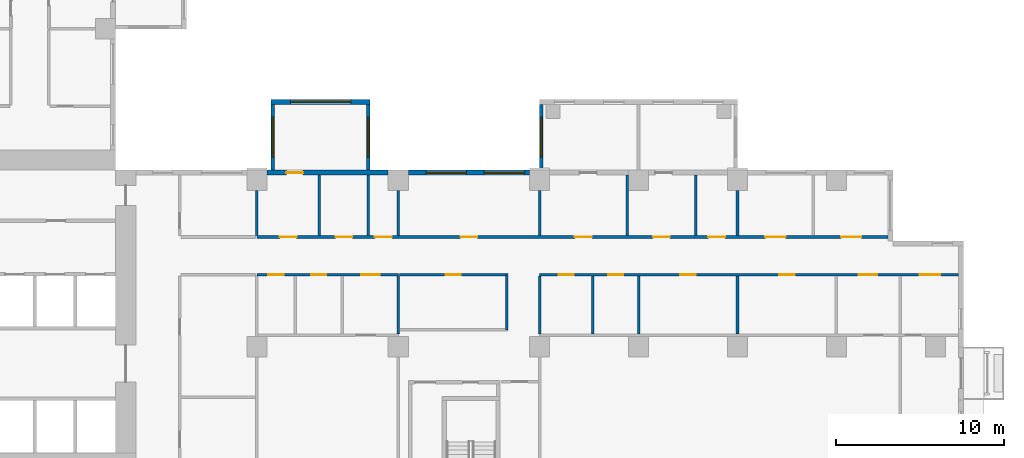
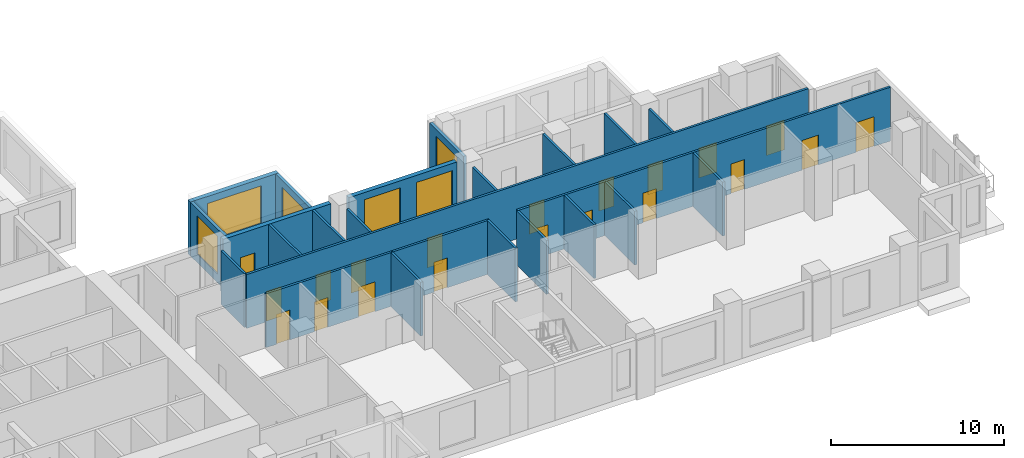
# One storey, part 5 of 15: 24 walls, 20 doors, 6 windows, 26 openings.
"""IFC4 building model written with IfcOpenShell, lengths in metres."""

from ifc_helpers import new_model, si_unit, direction, frame, frame_2d, origin, place, context, subcontext, project, spatial, rectangle, extrude, source, transform, mapped, material, layer, layer_set, type_object, element, fill, save


model = new_model("IFC4")

# Units and contexts
model_context = context("Model", 3, precision=1e-05, world=origin(), true_north=direction((0.0, 1.0)))
body_context = subcontext(model_context, "Body", "Model", "MODEL_VIEW")
ifc_project = project(units=[si_unit("LENGTHUNIT", "METRE"), si_unit("AREAUNIT", "SQUARE_METRE"), si_unit("VOLUMEUNIT", "CUBIC_METRE"), si_unit("PLANEANGLEUNIT", "RADIAN"), si_unit("MASSUNIT", "GRAM", prefix="KILO")], contexts=[model_context])

# Site, building, storey
site_placement = place(None, origin())
site = spatial("IfcSite", under=ifc_project, at=site_placement, CompositionType="ELEMENT")
building_placement = place(site_placement, origin())
building = spatial("IfcBuilding", under=site, at=building_placement, Name="Aurelian Terraces", CompositionType="ELEMENT")
storey_placement = place(building_placement, frame((0.0, 0.0, 82.5)))
storey = spatial("IfcBuildingStorey", under=building, at=storey_placement, Name="L17", CompositionType="ELEMENT", Elevation=82.5)

# Wall
ifc_material_1 = material(Name="Gypsum board on steel studs", Category="steel")
ifc_layer_1 = layer(ifc_material_1, 0.15)
ifc_layer_set_1 = layer_set([ifc_layer_1], Name="Partition 150")
wall_type_1 = type_object("IfcWallType", Name="Partition 150", PredefinedType="PARTITIONING", material=ifc_layer_set_1)
wall_1_placement = place(storey_placement, frame((44.25, 11.5, 0.0), z_axis=(0.0, 0.0, 1.0), x_axis=(0.0, 1.0, 0.0)))
element("IfcWall", 1, at=wall_1_placement, inside=storey, type_object=wall_type_1, Name="Partition", PredefinedType="PARTITIONING", context=body_context, shape_type="SweptSolid", body=[
    extrude(rectangle(XDim=3.275, YDim=0.15, at=frame_2d((1.6375, 0.0))), origin(), (0.0, 0.0, 1.0), 3.8),
])

# Wall, openings, windows
ifc_material_2 = material(Name="Terracotta rainscreen cladding", Category="masonry")
ifc_layer_2 = layer(ifc_material_2, 0.3)
ifc_layer_set_2 = layer_set([ifc_layer_2], Name="EW-300")
wall_type_2 = type_object("IfcWallType", Name="EW-300", PredefinedType="STANDARD", material=ifc_layer_set_2)
shared_shape_1 = source(origin(), body_context, "Body", "SweptSolid", [
    extrude(rectangle(XDim=7.2, YDim=0.3, at=frame_2d((3.6, 0.0))), origin(), (0.0, 0.0, 1.0), 3.8),
])
wall_2_placement = place(storey_placement, frame((45.6, 20.85, 0.0), z_axis=(0.0, 0.0, 1.0), x_axis=(-1.0, 0.0, 0.0)))
wall_2 = element("IfcWall", 2, at=wall_2_placement, inside=storey, type_object=wall_type_2, Name="External wall L17 F07.21", PredefinedType="STANDARD", context=body_context, shape_type="MappedRepresentation", body=[
    mapped(shared_shape_1, transform((0.0, 0.0, 0.0), scale=1.0)),
])
shared_shape_2 = source(origin(), body_context, "Body", "SweptSolid", [
    extrude(rectangle(XDim=2.4, YDim=2.7, at=frame_2d((1.2, 1.35))), frame((0.0, 0.16, 0.0), z_axis=(0.0, -1.0, 0.0), x_axis=(1.0, 0.0, 0.0)), (0.0, 0.0, 1.0), 0.32),
])
opening_1_placement = place(wall_2_placement, frame((0.3, 0.0, 0.6)))
opening_1 = element("IfcOpeningElement", 3, at=opening_1_placement, cuts=wall_2, Name="Opening W2427", PredefinedType="OPENING", context=body_context, shape_type="MappedRepresentation", body=[
    mapped(shared_shape_2, transform((0.0, 0.0, 0.0), scale=1.0)),
])
opening_2_placement = place(wall_2_placement, frame((3.75, 0.0, 0.6)))
opening_2 = element("IfcOpeningElement", 4, at=opening_2_placement, cuts=wall_2, Name="Opening W2427", PredefinedType="OPENING", context=body_context, shape_type="MappedRepresentation", body=[
    mapped(shared_shape_2, transform((0.0, 0.0, 0.0), scale=1.0)),
])
ifc_material_3 = material(Name="Clear glazing", Category="glass")
window_type_1 = type_object("IfcWindowType", Name="W-2400x2700", PartitioningType="SINGLE_PANEL", PredefinedType="WINDOW", material=ifc_material_3)
shared_shape_3 = source(origin(), body_context, "Body", "SweptSolid", [
    extrude(rectangle(XDim=2.4, YDim=2.7, at=frame_2d((1.2, 1.35))), frame((0.0, 0.03, 0.0), z_axis=(0.0, -1.0, 0.0), x_axis=(1.0, 0.0, 0.0)), (0.0, 0.0, 1.0), 0.06),
])
window_1_placement = place(opening_1_placement, origin())
window_1 = element("IfcWindow", 5, at=window_1_placement, inside=storey, type_object=window_type_1, Name="Window L17 L17-F07-21-0", OverallHeight=2.7, OverallWidth=2.4, PartitioningType="SINGLE_PANEL", PredefinedType="WINDOW", context=body_context, shape_type="MappedRepresentation", body=[
    mapped(shared_shape_3, transform((0.0, 0.0, 0.0), scale=1.0)),
])
fill(opening_1, window_1)
window_2_placement = place(opening_2_placement, origin())
window_2 = element("IfcWindow", 6, at=window_2_placement, inside=storey, type_object=window_type_1, Name="Window L17 L17-F07-21-G0-33", OverallHeight=2.7, OverallWidth=2.4, PartitioningType="SINGLE_PANEL", PredefinedType="WINDOW", context=body_context, shape_type="MappedRepresentation", body=[
    mapped(shared_shape_3, transform((0.0, 0.0, 0.0), scale=1.0)),
])
fill(opening_2, window_2)

# Wall, opening, door
wall_3_placement = place(storey_placement, frame((37.2, 20.85, 0.0), z_axis=(0.0, 0.0, 1.0), x_axis=(-1.0, 0.0, 0.0)))
wall_3 = element("IfcWall", 7, at=wall_3_placement, inside=storey, type_object=wall_type_2, Name="External wall L17 F07.21", PredefinedType="STANDARD", context=body_context, shape_type="MappedRepresentation", body=[
    mapped(shared_shape_1, transform((0.0, 0.0, 0.0), scale=1.0)),
])
shared_shape_4 = source(origin(), body_context, "Body", "SweptSolid", [
    extrude(rectangle(XDim=1.0, YDim=2.1, at=frame_2d((0.5, 1.05))), frame((0.0, 0.16, 0.0), z_axis=(0.0, -1.0, 0.0), x_axis=(1.0, 0.0, 0.0)), (0.0, 0.0, 1.0), 0.32),
])
opening_3_placement = place(wall_3_placement, frame((5.06, 0.0, 0.0)))
opening_3 = element("IfcOpeningElement", 8, at=opening_3_placement, cuts=wall_3, Name="Opening 817002", PredefinedType="OPENING", context=body_context, shape_type="MappedRepresentation", body=[
    mapped(shared_shape_4, transform((0.0, 0.0, 0.0), scale=1.0)),
])
ifc_material_4 = material(Name="Timber door leaf", Category="wood")
door_type_1 = type_object("IfcDoorType", Name="Room door 1000x2100 left", OperationType="SINGLE_SWING_LEFT", PredefinedType="DOOR", material=ifc_material_4)
shared_shape_5 = source(origin(), body_context, "Body", "SweptSolid", [
    extrude(rectangle(XDim=1.0, YDim=2.1, at=frame_2d((0.5, 1.05))), frame((0.0, 0.025, 0.0), z_axis=(0.0, -1.0, 0.0), x_axis=(1.0, 0.0, 0.0)), (0.0, 0.0, 1.0), 0.05),
])
door_1_placement = place(opening_3_placement, origin())
door_1 = element("IfcDoor", 9, at=door_1_placement, inside=storey, type_object=door_type_1, Name="Door 817002", OperationType="SINGLE_SWING_LEFT", OverallHeight=2.1, OverallWidth=1.0, PredefinedType="DOOR", context=body_context, shape_type="MappedRepresentation", body=[
    mapped(shared_shape_5, transform((0.0, 0.0, 0.0), scale=1.0)),
])
fill(opening_3, door_1)

# Wall, opening, window
ifc_material_5 = material(Name="Concrete fc' 40 MPa", Category="concrete")
ifc_layer_3 = layer(ifc_material_5, 0.2)
ifc_layer_set_3 = layer_set([ifc_layer_3], Name="BOX BEARING WALL 200")
wall_type_3 = type_object("IfcWallType", Name="BOX BEARING WALL 200", PredefinedType="SOLIDWALL", material=ifc_layer_set_3)
shared_shape_6 = source(origin(), body_context, "Body", "SweptSolid", [
    extrude(rectangle(XDim=3.9, YDim=0.2, at=frame_2d((1.95, 0.0))), origin(), (0.0, 0.0, 1.0), 3.8),
])
wall_4_placement = place(storey_placement, frame((46.3, 21.0, 0.0), z_axis=(0.0, 0.0, 1.0), x_axis=(0.0, 1.0, 0.0)))
wall_4 = element("IfcWall", 10, at=wall_4_placement, inside=storey, type_object=wall_type_3, Name="Box return L17 K01.2", PredefinedType="SOLIDWALL", context=body_context, shape_type="MappedRepresentation", body=[
    mapped(shared_shape_6, transform((0.0, 0.0, 0.0), scale=1.0)),
])
shared_shape_7 = source(origin(), body_context, "Body", "SweptSolid", [
    extrude(rectangle(XDim=2.4, YDim=2.7, at=frame_2d((1.2, 1.35))), frame((0.0, 0.11, 0.0), z_axis=(0.0, -1.0, 0.0), x_axis=(1.0, 0.0, 0.0)), (0.0, 0.0, 1.0), 0.22),
])
opening_4_placement = place(wall_4_placement, frame((0.75, 0.0, 0.6)))
opening_4 = element("IfcOpeningElement", 11, at=opening_4_placement, cuts=wall_4, Name="Opening W2427", PredefinedType="OPENING", context=body_context, shape_type="MappedRepresentation", body=[
    mapped(shared_shape_7, transform((0.0, 0.0, 0.0), scale=1.0)),
])
window_3_placement = place(opening_4_placement, origin())
window_3 = element("IfcWindow", 12, at=window_3_placement, inside=storey, type_object=window_type_1, Name="Window L17 K01-S2", OverallHeight=2.7, OverallWidth=2.4, PartitioningType="SINGLE_PANEL", PredefinedType="WINDOW", context=body_context, shape_type="MappedRepresentation", body=[
    mapped(shared_shape_3, transform((0.0, 0.0, 0.0), scale=1.0)),
])
fill(opening_4, window_3)

wall_5_placement = place(storey_placement, frame((36.02, 21.0, 0.0), z_axis=(0.0, 0.0, 1.0), x_axis=(0.0, 1.0, 0.0)))
wall_5 = element("IfcWall", 13, at=wall_5_placement, inside=storey, type_object=wall_type_3, Name="Box return L17 J20.1", PredefinedType="SOLIDWALL", context=body_context, shape_type="MappedRepresentation", body=[
    mapped(shared_shape_6, transform((0.0, 0.0, 0.0), scale=1.0)),
])
opening_5_placement = place(wall_5_placement, frame((0.75, 0.0, 0.6)))
opening_5 = element("IfcOpeningElement", 14, at=opening_5_placement, cuts=wall_5, Name="Opening W2427", PredefinedType="OPENING", context=body_context, shape_type="MappedRepresentation", body=[
    mapped(shared_shape_7, transform((0.0, 0.0, 0.0), scale=1.0)),
])
window_4_placement = place(opening_5_placement, origin())
window_4 = element("IfcWindow", 15, at=window_4_placement, inside=storey, type_object=window_type_1, Name="Window L17 J20-S1", OverallHeight=2.7, OverallWidth=2.4, PartitioningType="SINGLE_PANEL", PredefinedType="WINDOW", context=body_context, shape_type="MappedRepresentation", body=[
    mapped(shared_shape_3, transform((0.0, 0.0, 0.0), scale=1.0)),
])
fill(opening_5, window_4)

wall_6_placement = place(storey_placement, frame((30.34, 21.0, 0.0), z_axis=(0.0, 0.0, 1.0), x_axis=(0.0, 1.0, 0.0)))
wall_6 = element("IfcWall", 16, at=wall_6_placement, inside=storey, type_object=wall_type_3, Name="Box return L17 J20.2", PredefinedType="SOLIDWALL", context=body_context, shape_type="MappedRepresentation", body=[
    mapped(shared_shape_6, transform((0.0, 0.0, 0.0), scale=1.0)),
])
opening_6_placement = place(wall_6_placement, frame((0.75, 0.0, 0.6)))
opening_6 = element("IfcOpeningElement", 17, at=opening_6_placement, cuts=wall_6, Name="Opening W2427", PredefinedType="OPENING", context=body_context, shape_type="MappedRepresentation", body=[
    mapped(shared_shape_7, transform((0.0, 0.0, 0.0), scale=1.0)),
])
window_5_placement = place(opening_6_placement, origin())
window_5 = element("IfcWindow", 18, at=window_5_placement, inside=storey, type_object=window_type_1, Name="Window L17 J20-S2", OverallHeight=2.7, OverallWidth=2.4, PartitioningType="SINGLE_PANEL", PredefinedType="WINDOW", context=body_context, shape_type="MappedRepresentation", body=[
    mapped(shared_shape_3, transform((0.0, 0.0, 0.0), scale=1.0)),
])
fill(opening_6, window_5)

ifc_layer_4 = layer(ifc_material_5, 0.3)
ifc_layer_set_4 = layer_set([ifc_layer_4], Name="BOX BEARING WALL 300")
wall_type_4 = type_object("IfcWallType", Name="BOX BEARING WALL 300", PredefinedType="SOLIDWALL", material=ifc_layer_set_4)
shared_shape_8 = source(origin(), body_context, "Body", "SweptSolid", [
    extrude(rectangle(XDim=5.88, YDim=0.3, at=frame_2d((2.94, 0.0))), origin(), (0.0, 0.0, 1.0), 3.8),
])
wall_7_placement = place(storey_placement, frame((36.12, 25.05, 0.0), z_axis=(0.0, 0.0, 1.0), x_axis=(-1.0, 0.0, 0.0)))
wall_7 = element("IfcWall", 19, at=wall_7_placement, inside=storey, type_object=wall_type_4, Name="Box wall L17 J20", PredefinedType="SOLIDWALL", context=body_context, shape_type="MappedRepresentation", body=[
    mapped(shared_shape_8, transform((0.0, 0.0, 0.0), scale=1.0)),
])
shared_shape_9 = source(origin(), body_context, "Body", "SweptSolid", [
    extrude(rectangle(XDim=3.6, YDim=2.7, at=frame_2d((1.8, 1.35))), frame((0.0, 0.16, 0.0), z_axis=(0.0, -1.0, 0.0), x_axis=(1.0, 0.0, 0.0)), (0.0, 0.0, 1.0), 0.32),
])
opening_7_placement = place(wall_7_placement, frame((1.14, 0.0, 0.6)))
opening_7 = element("IfcOpeningElement", 20, at=opening_7_placement, cuts=wall_7, Name="Opening W3627", PredefinedType="OPENING", context=body_context, shape_type="MappedRepresentation", body=[
    mapped(shared_shape_9, transform((0.0, 0.0, 0.0), scale=1.0)),
])
window_type_2 = type_object("IfcWindowType", Name="W-3600x2700", PartitioningType="SINGLE_PANEL", PredefinedType="WINDOW", material=ifc_material_3)
shared_shape_10 = source(origin(), body_context, "Body", "SweptSolid", [
    extrude(rectangle(XDim=3.6, YDim=2.7, at=frame_2d((1.8, 1.35))), frame((0.0, 0.03, 0.0), z_axis=(0.0, -1.0, 0.0), x_axis=(1.0, 0.0, 0.0)), (0.0, 0.0, 1.0), 0.06),
])
window_6_placement = place(opening_7_placement, origin())
window_6 = element("IfcWindow", 21, at=window_6_placement, inside=storey, type_object=window_type_2, Name="Window L17 J20-F1", OverallHeight=2.7, OverallWidth=3.6, PartitioningType="SINGLE_PANEL", PredefinedType="WINDOW", context=body_context, shape_type="MappedRepresentation", body=[
    mapped(shared_shape_10, transform((0.0, 0.0, 0.0), scale=1.0)),
])
fill(opening_7, window_6)

# Wall, opening, door
ifc_layer_5 = layer(ifc_material_1, 0.15)
ifc_layer_set_5 = layer_set([ifc_layer_5], Name="Fire partition 150")
wall_type_5 = type_object("IfcWallType", Name="Fire partition 150", PredefinedType="PARTITIONING", material=ifc_layer_set_5)
shared_shape_11 = source(origin(), body_context, "Body", "SweptSolid", [
    extrude(rectangle(XDim=6.45, YDim=0.15, at=frame_2d((3.225, 0.0))), origin(), (0.0, 0.0, 1.0), 3.8),
])
wall_8_placement = place(storey_placement, frame((44.325, 14.775, 0.0), z_axis=(0.0, 0.0, 1.0), x_axis=(-1.0, 0.0, 0.0)))
wall_8 = element("IfcWall", 22, at=wall_8_placement, inside=storey, type_object=wall_type_5, Name="Corridor wall", PredefinedType="PARTITIONING", context=body_context, shape_type="MappedRepresentation", body=[
    mapped(shared_shape_11, transform((0.0, 0.0, 0.0), scale=1.0)),
])
shared_shape_12 = source(origin(), body_context, "Body", "SweptSolid", [
    extrude(rectangle(XDim=0.9, YDim=2.1, at=frame_2d((0.45, 1.05))), frame((0.0, 0.085, 0.0), z_axis=(0.0, -1.0, 0.0), x_axis=(1.0, 0.0, 0.0)), (0.0, 0.0, 1.0), 0.17),
])
opening_8_placement = place(wall_8_placement, frame((2.8125, 0.0, 0.0)))
opening_8 = element("IfcOpeningElement", 23, at=opening_8_placement, cuts=wall_8, Name="Opening 717005", PredefinedType="OPENING", context=body_context, shape_type="MappedRepresentation", body=[
    mapped(shared_shape_12, transform((0.0, 0.0, 0.0), scale=1.0)),
])
door_type_2 = type_object("IfcDoorType", Name="Room door 900x2100 left", OperationType="SINGLE_SWING_LEFT", PredefinedType="DOOR", material=ifc_material_4)
shared_shape_13 = source(origin(), body_context, "Body", "SweptSolid", [
    extrude(rectangle(XDim=0.9, YDim=2.1, at=frame_2d((0.45, 1.05))), frame((0.0, 0.025, 0.0), z_axis=(0.0, -1.0, 0.0), x_axis=(1.0, 0.0, 0.0)), (0.0, 0.0, 1.0), 0.05),
])
door_2_placement = place(opening_8_placement, origin())
door_2 = element("IfcDoor", 24, at=door_2_placement, inside=storey, type_object=door_type_2, Name="Door 717005", OperationType="SINGLE_SWING_LEFT", OverallHeight=2.1, OverallWidth=0.9, PredefinedType="DOOR", context=body_context, shape_type="MappedRepresentation", body=[
    mapped(shared_shape_13, transform((0.0, 0.0, 0.0), scale=1.0)),
])
fill(opening_8, door_2)

# Walls
shared_shape_14 = source(origin(), body_context, "Body", "SweptSolid", [
    extrude(rectangle(XDim=3.6, YDim=0.15, at=frame_2d((1.8, 0.0))), origin(), (0.0, 0.0, 1.0), 3.8),
])
for number, where, z_axis, x_axis, name in (
    (25, (33.1133, 20.7, 0.0), (0.0, 0.0, 1.0), (0.0, -1.0, 0.0), "Partition"),
    (26, (36.024, 20.7, 0.0), (0.0, 0.0, 1.0), (0.0, -1.0, 0.0), "Partition"),
    (27, (51.3951, 20.7, 0.0), (0.0, 0.0, 1.0), (0.0, -1.0, 0.0), "Partition"),
    (28, (55.4912, 20.7, 0.0), (0.0, 0.0, 1.0), (0.0, -1.0, 0.0), "Partition"),
):
    element("IfcWall", number, at=place(storey_placement, frame(where, z_axis=z_axis, x_axis=x_axis)), inside=storey, type_object=wall_type_1, Name=name, PredefinedType="PARTITIONING", context=body_context, shape_type="MappedRepresentation", body=[
        mapped(shared_shape_14, transform((0.0, 0.0, 0.0), scale=1.0)),
    ])
shared_shape_15 = source(origin(), body_context, "Body", "SweptSolid", [
    extrude(rectangle(XDim=2.701, YDim=0.15, at=frame_2d((1.3505, 0.0))), origin(), (0.0, 0.0, 1.0), 3.8),
])
for number, where, z_axis, x_axis, name in (
    (29, (29.4, 17.1, 0.0), (0.0, 0.0, 1.0), (0.0, 1.0, 0.0), "Partition"),
    (30, (37.8, 17.1, 0.0), (0.0, 0.0, 1.0), (0.0, 1.0, 0.0), "Partition"),
    (31, (46.2, 17.1, 0.0), (0.0, 0.0, 1.0), (0.0, 1.0, 0.0), "Partition"),
    (32, (57.96, 17.1, 0.0), (0.0, 0.0, 1.0), (0.0, 1.0, 0.0), "Partition"),
):
    element("IfcWall", number, at=place(storey_placement, frame(where, z_axis=z_axis, x_axis=x_axis)), inside=storey, type_object=wall_type_1, Name=name, PredefinedType="PARTITIONING", context=body_context, shape_type="MappedRepresentation", body=[
        mapped(shared_shape_15, transform((0.0, 0.0, 0.0), scale=1.0)),
    ])

# Wall, openings, doors
shared_shape_16 = source(origin(), body_context, "Body", "SweptSolid", [
    extrude(rectangle(XDim=8.4, YDim=0.15, at=frame_2d((4.2, 0.0))), origin(), (0.0, 0.0, 1.0), 3.8),
])
wall_9_placement = place(storey_placement, frame((37.8, 14.775, 0.0), z_axis=(0.0, 0.0, 1.0), x_axis=(-1.0, 0.0, 0.0)))
wall_9 = element("IfcWall", 33, at=wall_9_placement, inside=storey, type_object=wall_type_5, Name="Corridor wall", PredefinedType="PARTITIONING", context=body_context, shape_type="MappedRepresentation", body=[
    mapped(shared_shape_16, transform((0.0, 0.0, 0.0), scale=1.0)),
])
shared_shape_17 = source(origin(), body_context, "Body", "SweptSolid", [
    extrude(rectangle(XDim=1.1, YDim=2.1, at=frame_2d((0.55, 1.05))), frame((0.0, 0.085, 0.0), z_axis=(0.0, -1.0, 0.0), x_axis=(1.0, 0.0, 0.0)), (0.0, 0.0, 1.0), 0.17),
])
opening_9_placement = place(wall_9_placement, frame((1.1146, 0.0, 0.0)))
opening_9 = element("IfcOpeningElement", 34, at=opening_9_placement, cuts=wall_9, Name="Opening 717007", PredefinedType="OPENING", context=body_context, shape_type="MappedRepresentation", body=[
    mapped(shared_shape_17, transform((0.0, 0.0, 0.0), scale=1.0)),
])
opening_10_placement = place(wall_9_placement, frame((6.8178, 0.0, 0.0)))
opening_10 = element("IfcOpeningElement", 35, at=opening_10_placement, cuts=wall_9, Name="Opening 717009", PredefinedType="OPENING", context=body_context, shape_type="MappedRepresentation", body=[
    mapped(shared_shape_12, transform((0.0, 0.0, 0.0), scale=1.0)),
])
opening_11_placement = place(wall_9_placement, frame((4.2824, 0.0, 0.0)))
opening_11 = element("IfcOpeningElement", 36, at=opening_11_placement, cuts=wall_9, Name="Opening 717010", PredefinedType="OPENING", context=body_context, shape_type="MappedRepresentation", body=[
    mapped(shared_shape_12, transform((0.0, 0.0, 0.0), scale=1.0)),
])
door_type_3 = type_object("IfcDoorType", Name="Room door 900x2100 right", OperationType="SINGLE_SWING_RIGHT", PredefinedType="DOOR", material=ifc_material_4)
door_3_placement = place(opening_10_placement, origin())
door_3 = element("IfcDoor", 37, at=door_3_placement, inside=storey, type_object=door_type_3, Name="Door 717009", OperationType="SINGLE_SWING_RIGHT", OverallHeight=2.1, OverallWidth=0.9, PredefinedType="DOOR", context=body_context, shape_type="MappedRepresentation", body=[
    mapped(shared_shape_13, transform((0.0, 0.0, 0.0), scale=1.0)),
])
fill(opening_10, door_3)
door_4_placement = place(opening_11_placement, origin())
door_4 = element("IfcDoor", 38, at=door_4_placement, inside=storey, type_object=door_type_2, Name="Door 717010", OperationType="SINGLE_SWING_LEFT", OverallHeight=2.1, OverallWidth=0.9, PredefinedType="DOOR", context=body_context, shape_type="MappedRepresentation", body=[
    mapped(shared_shape_13, transform((0.0, 0.0, 0.0), scale=1.0)),
])
fill(opening_11, door_4)
door_type_4 = type_object("IfcDoorType", Name="Room door 1100x2100 right", OperationType="SINGLE_SWING_RIGHT", PredefinedType="DOOR", material=ifc_material_4)
shared_shape_18 = source(origin(), body_context, "Body", "SweptSolid", [
    extrude(rectangle(XDim=1.1, YDim=2.1, at=frame_2d((0.55, 1.05))), frame((0.0, 0.025, 0.0), z_axis=(0.0, -1.0, 0.0), x_axis=(1.0, 0.0, 0.0)), (0.0, 0.0, 1.0), 0.05),
])
door_5_placement = place(opening_9_placement, origin())
door_5 = element("IfcDoor", 39, at=door_5_placement, inside=storey, type_object=door_type_4, Name="Door 717007", OperationType="SINGLE_SWING_RIGHT", OverallHeight=2.1, OverallWidth=1.1, PredefinedType="DOOR", context=body_context, shape_type="MappedRepresentation", body=[
    mapped(shared_shape_18, transform((0.0, 0.0, 0.0), scale=1.0)),
])
fill(opening_9, door_5)

shared_shape_19 = source(origin(), body_context, "Body", "SweptSolid", [
    extrude(rectangle(XDim=24.9, YDim=0.15, at=frame_2d((12.45, 0.0))), origin(), (0.0, 0.0, 1.0), 3.8),
])
wall_10_placement = place(storey_placement, frame((71.1, 14.775, 0.0), z_axis=(0.0, 0.0, 1.0), x_axis=(-1.0, 0.0, 0.0)))
wall_10 = element("IfcWall", 40, at=wall_10_placement, inside=storey, type_object=wall_type_5, Name="Corridor wall", PredefinedType="PARTITIONING", context=body_context, shape_type="MappedRepresentation", body=[
    mapped(shared_shape_19, transform((0.0, 0.0, 0.0), scale=1.0)),
])
opening_12_placement = place(wall_10_placement, frame((4.82, 0.0, 0.0)))
opening_12 = element("IfcOpeningElement", 41, at=opening_12_placement, cuts=wall_10, Name="Opening 717011", PredefinedType="OPENING", context=body_context, shape_type="MappedRepresentation", body=[
    mapped(shared_shape_17, transform((0.0, 0.0, 0.0), scale=1.0)),
])
opening_13_placement = place(wall_10_placement, frame((22.8655, 0.0, 0.0)))
opening_13 = element("IfcOpeningElement", 42, at=opening_13_placement, cuts=wall_10, Name="Opening 717013", PredefinedType="OPENING", context=body_context, shape_type="MappedRepresentation", body=[
    mapped(shared_shape_12, transform((0.0, 0.0, 0.0), scale=1.0)),
])
opening_14_placement = place(wall_10_placement, frame((19.9255, 0.0, 0.0)))
opening_14 = element("IfcOpeningElement", 43, at=opening_14_placement, cuts=wall_10, Name="Opening 717014", PredefinedType="OPENING", context=body_context, shape_type="MappedRepresentation", body=[
    mapped(shared_shape_12, transform((0.0, 0.0, 0.0), scale=1.0)),
])
opening_15_placement = place(wall_10_placement, frame((15.63, 0.0, 0.0)))
opening_15 = element("IfcOpeningElement", 44, at=opening_15_placement, cuts=wall_10, Name="Opening 717015", PredefinedType="OPENING", context=body_context, shape_type="MappedRepresentation", body=[
    mapped(shared_shape_12, transform((0.0, 0.0, 0.0), scale=1.0)),
])
opening_16_placement = place(wall_10_placement, frame((9.75, 0.0, 0.0)))
opening_16 = element("IfcOpeningElement", 45, at=opening_16_placement, cuts=wall_10, Name="Opening 717016", PredefinedType="OPENING", context=body_context, shape_type="MappedRepresentation", body=[
    mapped(shared_shape_12, transform((0.0, 0.0, 0.0), scale=1.0)),
])
shared_shape_20 = source(origin(), body_context, "Body", "SweptSolid", [
    extrude(rectangle(XDim=1.2, YDim=2.1, at=frame_2d((0.6, 1.05))), frame((0.0, 0.085, 0.0), z_axis=(0.0, -1.0, 0.0), x_axis=(1.0, 0.0, 0.0)), (0.0, 0.0, 1.0), 0.17),
])
opening_17_placement = place(wall_10_placement, frame((1.1025, 0.0, 0.0)))
opening_17 = element("IfcOpeningElement", 46, at=opening_17_placement, cuts=wall_10, Name="Opening 717017", PredefinedType="OPENING", context=body_context, shape_type="MappedRepresentation", body=[
    mapped(shared_shape_20, transform((0.0, 0.0, 0.0), scale=1.0)),
])
door_6_placement = place(opening_13_placement, origin())
door_6 = element("IfcDoor", 47, at=door_6_placement, inside=storey, type_object=door_type_3, Name="Door 717013", OperationType="SINGLE_SWING_RIGHT", OverallHeight=2.1, OverallWidth=0.9, PredefinedType="DOOR", context=body_context, shape_type="MappedRepresentation", body=[
    mapped(shared_shape_13, transform((0.0, 0.0, 0.0), scale=1.0)),
])
fill(opening_13, door_6)
door_7_placement = place(opening_14_placement, origin())
door_7 = element("IfcDoor", 48, at=door_7_placement, inside=storey, type_object=door_type_2, Name="Door 717014", OperationType="SINGLE_SWING_LEFT", OverallHeight=2.1, OverallWidth=0.9, PredefinedType="DOOR", context=body_context, shape_type="MappedRepresentation", body=[
    mapped(shared_shape_13, transform((0.0, 0.0, 0.0), scale=1.0)),
])
fill(opening_14, door_7)
door_8_placement = place(opening_15_placement, origin())
door_8 = element("IfcDoor", 49, at=door_8_placement, inside=storey, type_object=door_type_3, Name="Door 717015", OperationType="SINGLE_SWING_RIGHT", OverallHeight=2.1, OverallWidth=0.9, PredefinedType="DOOR", context=body_context, shape_type="MappedRepresentation", body=[
    mapped(shared_shape_13, transform((0.0, 0.0, 0.0), scale=1.0)),
])
fill(opening_15, door_8)
door_9_placement = place(opening_16_placement, origin())
door_9 = element("IfcDoor", 50, at=door_9_placement, inside=storey, type_object=door_type_2, Name="Door 717016", OperationType="SINGLE_SWING_LEFT", OverallHeight=2.1, OverallWidth=0.9, PredefinedType="DOOR", context=body_context, shape_type="MappedRepresentation", body=[
    mapped(shared_shape_13, transform((0.0, 0.0, 0.0), scale=1.0)),
])
fill(opening_16, door_9)
door_10_placement = place(opening_12_placement, origin())
door_10 = element("IfcDoor", 51, at=door_10_placement, inside=storey, type_object=door_type_4, Name="Door 717011", OperationType="SINGLE_SWING_RIGHT", OverallHeight=2.1, OverallWidth=1.1, PredefinedType="DOOR", context=body_context, shape_type="MappedRepresentation", body=[
    mapped(shared_shape_18, transform((0.0, 0.0, 0.0), scale=1.0)),
])
fill(opening_12, door_10)
door_type_5 = type_object("IfcDoorType", Name="Room door 1200x2100 right", OperationType="SINGLE_SWING_RIGHT", PredefinedType="DOOR", material=ifc_material_4)
shared_shape_21 = source(origin(), body_context, "Body", "SweptSolid", [
    extrude(rectangle(XDim=1.2, YDim=2.1, at=frame_2d((0.6, 1.05))), frame((0.0, 0.025, 0.0), z_axis=(0.0, -1.0, 0.0), x_axis=(1.0, 0.0, 0.0)), (0.0, 0.0, 1.0), 0.05),
])
door_11_placement = place(opening_17_placement, origin())
door_11 = element("IfcDoor", 52, at=door_11_placement, inside=storey, type_object=door_type_5, Name="Door 717017", OperationType="SINGLE_SWING_RIGHT", OverallHeight=2.1, OverallWidth=1.2, PredefinedType="DOOR", context=body_context, shape_type="MappedRepresentation", body=[
    mapped(shared_shape_21, transform((0.0, 0.0, 0.0), scale=1.0)),
])
fill(opening_17, door_11)

shared_shape_22 = source(origin(), body_context, "Body", "SweptSolid", [
    extrude(rectangle(XDim=37.5, YDim=0.15, at=frame_2d((18.75, 0.0))), origin(), (0.0, 0.0, 1.0), 3.8),
])
wall_11_placement = place(storey_placement, frame((29.4, 17.025, 0.0), z_axis=(0.0, 0.0, 1.0), x_axis=(1.0, 0.0, 0.0)))
wall_11 = element("IfcWall", 53, at=wall_11_placement, inside=storey, type_object=wall_type_5, Name="Corridor wall", PredefinedType="PARTITIONING", context=body_context, shape_type="MappedRepresentation", body=[
    mapped(shared_shape_22, transform((0.0, 0.0, 0.0), scale=1.0)),
])
shared_shape_23 = source(origin(), body_context, "Body", "SweptSolid", [
    extrude(rectangle(XDim=1.0, YDim=2.1, at=frame_2d((0.5, 1.05))), frame((0.0, 0.085, 0.0), z_axis=(0.0, -1.0, 0.0), x_axis=(1.0, 0.0, 0.0)), (0.0, 0.0, 1.0), 0.17),
])
opening_18_placement = place(wall_11_placement, frame((1.3567, 0.0, 0.0)))
opening_18 = element("IfcOpeningElement", 54, at=opening_18_placement, cuts=wall_11, Name="Opening 717019", PredefinedType="OPENING", context=body_context, shape_type="MappedRepresentation", body=[
    mapped(shared_shape_23, transform((0.0, 0.0, 0.0), scale=1.0)),
])
opening_19_placement = place(wall_11_placement, frame((4.6686, 0.0, 0.0)))
opening_19 = element("IfcOpeningElement", 55, at=opening_19_placement, cuts=wall_11, Name="Opening 717020", PredefinedType="OPENING", context=body_context, shape_type="MappedRepresentation", body=[
    mapped(shared_shape_23, transform((0.0, 0.0, 0.0), scale=1.0)),
])
opening_20_placement = place(wall_11_placement, frame((7.012, 0.0, 0.0)))
opening_20 = element("IfcOpeningElement", 56, at=opening_20_placement, cuts=wall_11, Name="Opening 717021", PredefinedType="OPENING", context=body_context, shape_type="MappedRepresentation", body=[
    mapped(shared_shape_23, transform((0.0, 0.0, 0.0), scale=1.0)),
])
opening_21_placement = place(wall_11_placement, frame((12.1, 0.0, 0.0)))
opening_21 = element("IfcOpeningElement", 57, at=opening_21_placement, cuts=wall_11, Name="Opening 717022", PredefinedType="OPENING", context=body_context, shape_type="MappedRepresentation", body=[
    mapped(shared_shape_23, transform((0.0, 0.0, 0.0), scale=1.0)),
])
opening_22_placement = place(wall_11_placement, frame((18.8976, 0.0, 0.0)))
opening_22 = element("IfcOpeningElement", 58, at=opening_22_placement, cuts=wall_11, Name="Opening 717023", PredefinedType="OPENING", context=body_context, shape_type="MappedRepresentation", body=[
    mapped(shared_shape_23, transform((0.0, 0.0, 0.0), scale=1.0)),
])
opening_23_placement = place(wall_11_placement, frame((23.5431, 0.0, 0.0)))
opening_23 = element("IfcOpeningElement", 59, at=opening_23_placement, cuts=wall_11, Name="Opening 717024", PredefinedType="OPENING", context=body_context, shape_type="MappedRepresentation", body=[
    mapped(shared_shape_23, transform((0.0, 0.0, 0.0), scale=1.0)),
])
opening_24_placement = place(wall_11_placement, frame((26.8256, 0.0, 0.0)))
opening_24 = element("IfcOpeningElement", 60, at=opening_24_placement, cuts=wall_11, Name="Opening 717025", PredefinedType="OPENING", context=body_context, shape_type="MappedRepresentation", body=[
    mapped(shared_shape_23, transform((0.0, 0.0, 0.0), scale=1.0)),
])
opening_25_placement = place(wall_11_placement, frame((30.2138, 0.0, 0.0)))
opening_25 = element("IfcOpeningElement", 61, at=opening_25_placement, cuts=wall_11, Name="Opening 717026", PredefinedType="OPENING", context=body_context, shape_type="MappedRepresentation", body=[
    mapped(shared_shape_20, transform((0.0, 0.0, 0.0), scale=1.0)),
])
opening_26_placement = place(wall_11_placement, frame((34.7212, 0.0, 0.0)))
opening_26 = element("IfcOpeningElement", 62, at=opening_26_placement, cuts=wall_11, Name="Opening 717027", PredefinedType="OPENING", context=body_context, shape_type="MappedRepresentation", body=[
    mapped(shared_shape_20, transform((0.0, 0.0, 0.0), scale=1.0)),
])
door_type_6 = type_object("IfcDoorType", Name="Room door 1000x2100 right", OperationType="SINGLE_SWING_RIGHT", PredefinedType="DOOR", material=ifc_material_4)
door_12_placement = place(opening_18_placement, origin())
door_12 = element("IfcDoor", 63, at=door_12_placement, inside=storey, type_object=door_type_6, Name="Door 717019", OperationType="SINGLE_SWING_RIGHT", OverallHeight=2.1, OverallWidth=1.0, PredefinedType="DOOR", context=body_context, shape_type="MappedRepresentation", body=[
    mapped(shared_shape_5, transform((0.0, 0.0, 0.0), scale=1.0)),
])
fill(opening_18, door_12)
door_13_placement = place(opening_19_placement, origin())
door_13 = element("IfcDoor", 64, at=door_13_placement, inside=storey, type_object=door_type_1, Name="Door 717020", OperationType="SINGLE_SWING_LEFT", OverallHeight=2.1, OverallWidth=1.0, PredefinedType="DOOR", context=body_context, shape_type="MappedRepresentation", body=[
    mapped(shared_shape_5, transform((0.0, 0.0, 0.0), scale=1.0)),
])
fill(opening_19, door_13)
door_14_placement = place(opening_20_placement, origin())
door_14 = element("IfcDoor", 65, at=door_14_placement, inside=storey, type_object=door_type_6, Name="Door 717021", OperationType="SINGLE_SWING_RIGHT", OverallHeight=2.1, OverallWidth=1.0, PredefinedType="DOOR", context=body_context, shape_type="MappedRepresentation", body=[
    mapped(shared_shape_5, transform((0.0, 0.0, 0.0), scale=1.0)),
])
fill(opening_20, door_14)
door_15_placement = place(opening_21_placement, origin())
door_15 = element("IfcDoor", 66, at=door_15_placement, inside=storey, type_object=door_type_6, Name="Door 717022", OperationType="SINGLE_SWING_RIGHT", OverallHeight=2.1, OverallWidth=1.0, PredefinedType="DOOR", context=body_context, shape_type="MappedRepresentation", body=[
    mapped(shared_shape_5, transform((0.0, 0.0, 0.0), scale=1.0)),
])
fill(opening_21, door_15)
door_16_placement = place(opening_22_placement, origin())
door_16 = element("IfcDoor", 67, at=door_16_placement, inside=storey, type_object=door_type_6, Name="Door 717023", OperationType="SINGLE_SWING_RIGHT", OverallHeight=2.1, OverallWidth=1.0, PredefinedType="DOOR", context=body_context, shape_type="MappedRepresentation", body=[
    mapped(shared_shape_5, transform((0.0, 0.0, 0.0), scale=1.0)),
])
fill(opening_22, door_16)
door_17_placement = place(opening_23_placement, origin())
door_17 = element("IfcDoor", 68, at=door_17_placement, inside=storey, type_object=door_type_1, Name="Door 717024", OperationType="SINGLE_SWING_LEFT", OverallHeight=2.1, OverallWidth=1.0, PredefinedType="DOOR", context=body_context, shape_type="MappedRepresentation", body=[
    mapped(shared_shape_5, transform((0.0, 0.0, 0.0), scale=1.0)),
])
fill(opening_23, door_17)
door_18_placement = place(opening_24_placement, origin())
door_18 = element("IfcDoor", 69, at=door_18_placement, inside=storey, type_object=door_type_6, Name="Door 717025", OperationType="SINGLE_SWING_RIGHT", OverallHeight=2.1, OverallWidth=1.0, PredefinedType="DOOR", context=body_context, shape_type="MappedRepresentation", body=[
    mapped(shared_shape_5, transform((0.0, 0.0, 0.0), scale=1.0)),
])
fill(opening_24, door_18)
door_19_placement = place(opening_25_placement, origin())
door_19 = element("IfcDoor", 70, at=door_19_placement, inside=storey, type_object=door_type_5, Name="Door 717026", OperationType="SINGLE_SWING_RIGHT", OverallHeight=2.1, OverallWidth=1.2, PredefinedType="DOOR", context=body_context, shape_type="MappedRepresentation", body=[
    mapped(shared_shape_21, transform((0.0, 0.0, 0.0), scale=1.0)),
])
fill(opening_25, door_19)
door_type_7 = type_object("IfcDoorType", Name="Room door 1200x2100 left", OperationType="SINGLE_SWING_LEFT", PredefinedType="DOOR", material=ifc_material_4)
door_20_placement = place(opening_26_placement, origin())
door_20 = element("IfcDoor", 71, at=door_20_placement, inside=storey, type_object=door_type_7, Name="Door 717027", OperationType="SINGLE_SWING_LEFT", OverallHeight=2.1, OverallWidth=1.2, PredefinedType="DOOR", context=body_context, shape_type="MappedRepresentation", body=[
    mapped(shared_shape_21, transform((0.0, 0.0, 0.0), scale=1.0)),
])
fill(opening_26, door_20)

# Walls
shared_shape_24 = source(origin(), body_context, "Body", "SweptSolid", [
    extrude(rectangle(XDim=3.45, YDim=0.15, at=frame_2d((1.725, 0.0))), origin(), (0.0, 0.0, 1.0), 3.8),
])
for number, where, z_axis, x_axis, name in (
    (72, (37.8, 11.25, 0.0), (0.0, 0.0, 1.0), (0.0, 1.0, 0.0), "Partition"),
    (73, (49.369, 11.25, 0.0), (0.0, 0.0, 1.0), (0.0, 1.0, 0.0), "Partition"),
    (74, (52.08, 11.25, 0.0), (0.0, 0.0, 1.0), (0.0, 1.0, 0.0), "Partition"),
    (75, (57.96, 11.25, 0.0), (0.0, 0.0, 1.0), (0.0, 1.0, 0.0), "Partition"),
    (76, (46.2, 11.25, 0.0), (0.0, 0.0, 1.0), (0.0, 1.0, 0.0), "Partition"),
):
    element("IfcWall", number, at=place(storey_placement, frame(where, z_axis=z_axis, x_axis=x_axis)), inside=storey, type_object=wall_type_1, Name=name, PredefinedType="PARTITIONING", context=body_context, shape_type="MappedRepresentation", body=[
        mapped(shared_shape_24, transform((0.0, 0.0, 0.0), scale=1.0)),
    ])

save(model, "model.ifc")
